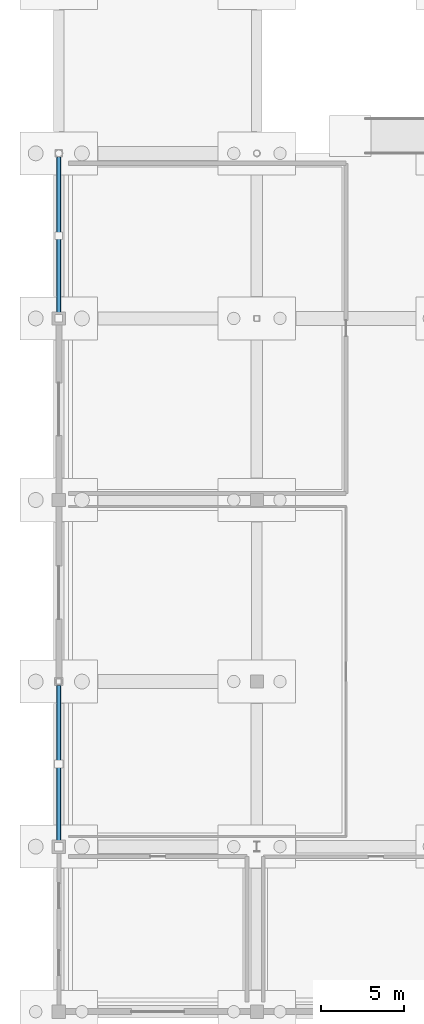
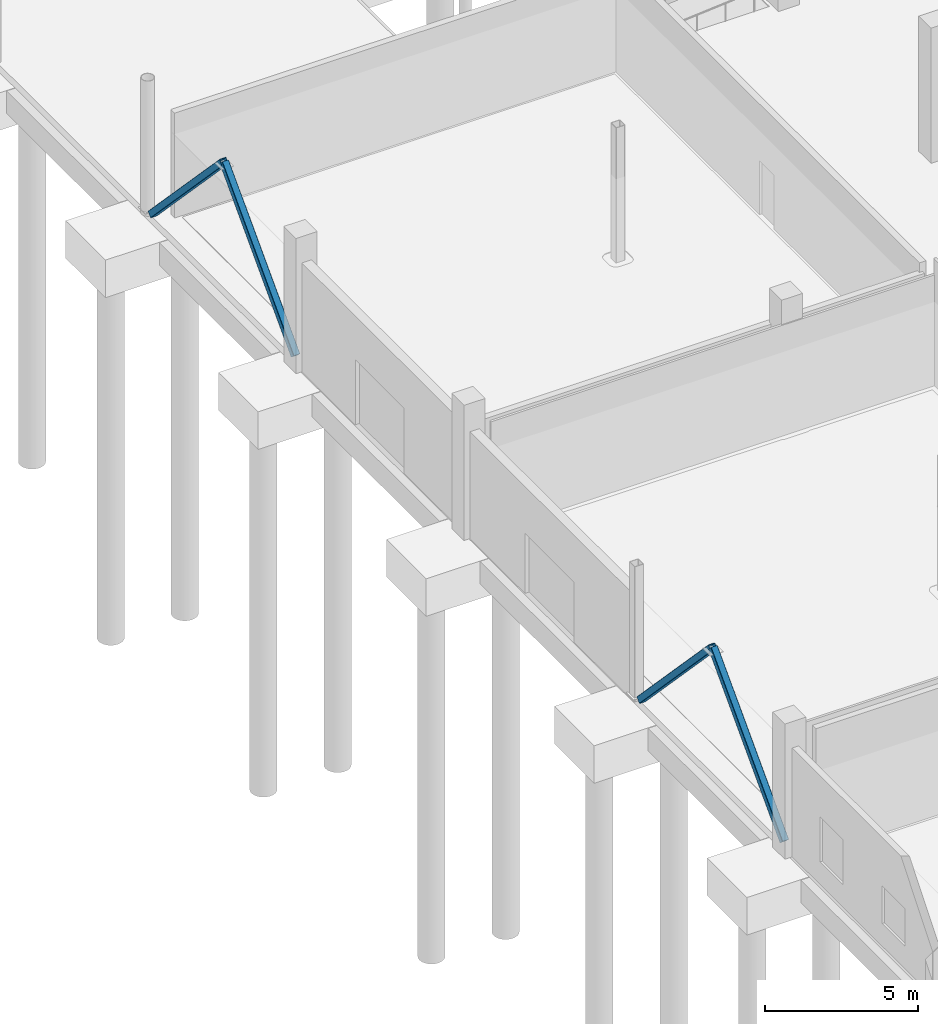
# One storey, part 30 of 70: 4 members.
"""IFC4 building model written with IfcOpenShell, lengths in metres."""

from ifc_helpers import new_model, si_unit, direction, frame, origin, origin_2d, place, context, subcontext, project, spatial, hollow_rectangle, extrude, material, material_profile, profile_set, type_object, element, save


model = new_model("IFC4")

# Units and contexts
model_context = context("Model", 3, precision=1e-05, world=origin(), true_north=direction((0.0, 1.0)))
body_context = subcontext(model_context, "Body", "Model", "MODEL_VIEW")
ifc_project = project(units=[si_unit("LENGTHUNIT", "METRE"), si_unit("AREAUNIT", "SQUARE_METRE"), si_unit("VOLUMEUNIT", "CUBIC_METRE"), si_unit("PLANEANGLEUNIT", "RADIAN"), si_unit("MASSUNIT", "GRAM", prefix="KILO")], contexts=[model_context])

# Site, building, storey
site_placement = place(None, origin())
site = spatial("IfcSite", under=ifc_project, at=site_placement, CompositionType="ELEMENT")
building_placement = place(site_placement, origin())
building = spatial("IfcBuilding", under=site, at=building_placement, Name="Brinegate Civic Arena", CompositionType="ELEMENT")
storey_placement = place(building_placement, origin())
storey = spatial("IfcBuildingStorey", under=building, at=storey_placement, Name="L00", CompositionType="ELEMENT", Elevation=0.0)

# Members
ifc_material = material(Name="Steel S355", Category="steel")
ifc_material_profile = material_profile(ifc_material, hollow_rectangle(XDim=0.25, YDim=0.25, WallThickness=0.011962890625, InnerFilletRadius=0.011962890625, OuterFilletRadius=0.02392578125, at=origin_2d()), Name="SHS250X12")
ifc_profile_set = profile_set([ifc_material_profile], Name="Steel S355")
member_type = type_object("IfcMemberType", Name="SF-BRACE-SHS250", PredefinedType="BRACE", material=ifc_profile_set)
for number, where, z_axis, x_axis, name in (
    (1, (0.0, 10.320068359375, 0.14990234375), (0.0, 0.689932830173, 0.723873393523), (-1.0, 0.0, 0.0), "Lateral Chevron Brace 01-A"),
    (2, (0.0, 19.679931640625, 0.14990234375), (0.0, -0.689932830173, 0.723873393523), (1.0, 0.0, 0.0), "Lateral Chevron Brace 01-B"),
    (3, (0.0, 42.320068359375, 0.14990234375), (0.0, 0.689932830173, 0.723873393523), (-1.0, 0.0, 0.0), "Lateral Chevron Brace 02-A"),
    (4, (0.0, 51.679931640625, 0.14990234375), (0.0, -0.689932830173, 0.723873393523), (1.0, 0.0, 0.0), "Lateral Chevron Brace 02-B"),
):
    element("IfcMember", number, at=place(storey_placement, frame(where, z_axis=z_axis, x_axis=x_axis)), inside=storey, type_object=member_type, Name=name, PredefinedType="BRACE", context=body_context, shape_type="SweptSolid", body=[
        extrude(hollow_rectangle(XDim=0.25, YDim=0.25, WallThickness=0.011962890625, InnerFilletRadius=0.011962890625, OuterFilletRadius=0.02392578125, at=origin_2d()), origin(), (0.0, 0.0, 1.0), 6.783203125),
    ])

save(model, "model.ifc")
